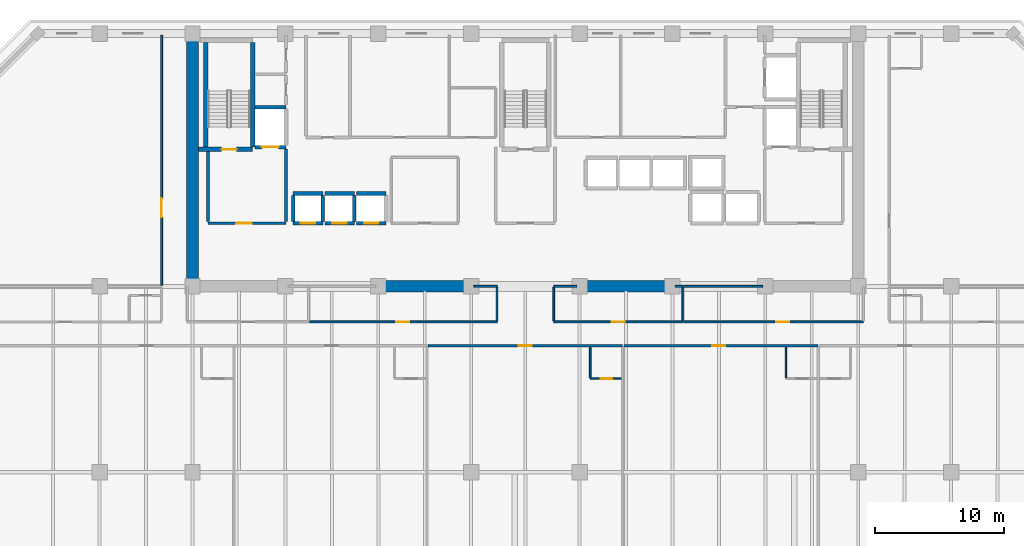
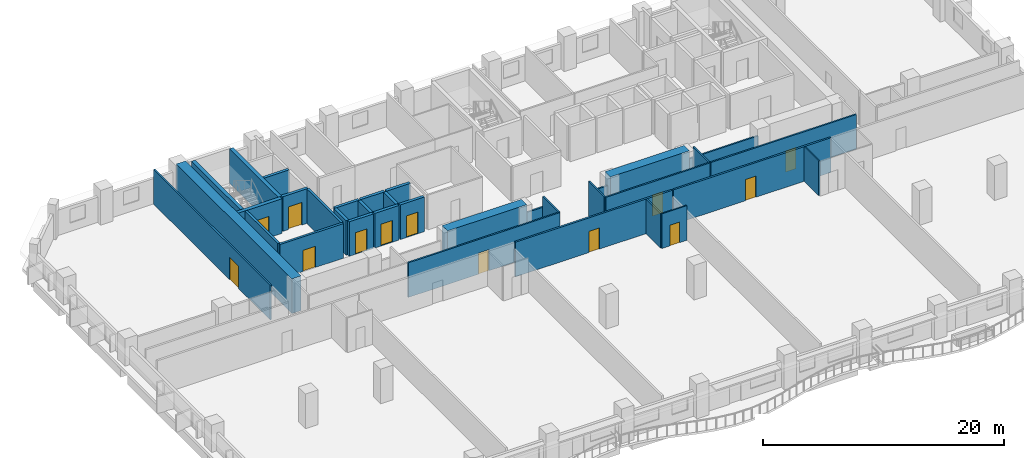
# One storey, part 6 of 14: 36 walls, 13 doors, 13 openings.
"""IFC4 building model written with IfcOpenShell, lengths in metres."""

from ifc_helpers import new_model, si_unit, direction, frame, frame_2d, origin, place, context, subcontext, project, spatial, rectangle, extrude, material, layer, layer_set, type_object, element, fill, save


model = new_model("IFC4")

# Units and contexts
model_context = context("Model", 3, precision=1e-05, world=origin(), true_north=direction((0.0, 1.0)))
body_context = subcontext(model_context, "Body", "Model", "MODEL_VIEW")
ifc_project = project(units=[si_unit("LENGTHUNIT", "METRE"), si_unit("AREAUNIT", "SQUARE_METRE"), si_unit("VOLUMEUNIT", "CUBIC_METRE"), si_unit("PLANEANGLEUNIT", "RADIAN"), si_unit("MASSUNIT", "GRAM", prefix="KILO")], contexts=[model_context])

# Site, building, storey
site_placement = place(None, origin())
site = spatial("IfcSite", under=ifc_project, at=site_placement, CompositionType="ELEMENT")
building_placement = place(site_placement, origin())
building = spatial("IfcBuilding", under=site, at=building_placement, Name="Kaelvorn Grand Hotel", CompositionType="ELEMENT")
storey_placement = place(building_placement, frame((0.0, 0.0, 119.300048828125)))
storey = spatial("IfcBuildingStorey", under=building, at=storey_placement, Name="L28", CompositionType="ELEMENT", Elevation=119.300048828125)

# Walls
ifc_material_1 = material(Name="Concrete C60/75", Category="concrete")
ifc_layer_1 = layer(ifc_material_1, 0.89990234375)
ifc_layer_set_1 = layer_set([ifc_layer_1], Name="Concrete C60/75")
wall_type_1 = type_object("IfcWallType", Name="WL-CORE-900-C60", PredefinedType="SHEAR", material=ifc_layer_set_1)
wall_1_placement = place(storey_placement, frame((16.199951171875, 29.39990234375, 0.0), z_axis=(0.0, 0.0, 1.0), x_axis=(0.0, 1.0, 0.0)))
element("IfcWall", 1, at=wall_1_placement, inside=storey, type_object=wall_type_1, Name="L28 Rear-Core West Shear Wall", PredefinedType="SHEAR", context=body_context, shape_type="SweptSolid", body=[
    extrude(rectangle(XDim=19.2001953125, YDim=0.89990234375, at=frame_2d((9.60009765625, 0.0))), origin(), (0.0, 0.0, 1.0), 3.510009765625),
])
for number, where, z_axis, x_axis, name in (
    (2, (30.39990234375, 29.39990234375, 0.0), (0.0, 0.0, 1.0), (1.0, 0.0, 0.0), "L28 Rear-Core Coupled Shear Pier S2"),
    (3, (46.0, 29.39990234375, 0.0), (0.0, 0.0, 1.0), (1.0, 0.0, 0.0), "L28 Rear-Core Coupled Shear Pier S3"),
):
    element("IfcWall", number, at=place(storey_placement, frame(where, z_axis=z_axis, x_axis=x_axis)), inside=storey, type_object=wall_type_1, Name=name, PredefinedType="SHEAR", context=body_context, shape_type="SweptSolid", body=[
        extrude(rectangle(XDim=7.60009765625, YDim=0.89990234375, at=frame_2d((3.800048828125, 0.0))), origin(), (0.0, 0.0, 1.0), 3.510009765625),
    ])

# Wall, opening, door
ifc_material_2 = material(Name="Moisture-Resistant Tile & Stud Board")
ifc_layer_2 = layer(ifc_material_2, 0.125)
ifc_layer_set_2 = layer_set([ifc_layer_2], Name="Moisture-Resistant Tile & Stud Board")
wall_type_2 = type_object("IfcWallType", Name="WL-PART-125-WET", PredefinedType="PARTITIONING", material=ifc_layer_set_2)
wall_2_placement = place(storey_placement, frame((47.030029296875, 22.25, 0.0), z_axis=(0.0, 0.0, 1.0), x_axis=(1.0, 0.0, 0.0)))
wall_2 = element("IfcWall", 4, at=wall_2_placement, inside=storey, type_object=wall_type_2, Name="L28 En-suite Bathroom L28-03 S Partition", PredefinedType="PARTITIONING", context=body_context, shape_type="SweptSolid", body=[
    extrude(rectangle(XDim=2.405029296875, YDim=0.125, at=frame_2d((1.20263671875, 0.0))), origin(), (0.0, 0.0, 1.0), 3.510009765625),
])
opening_1_placement = place(wall_2_placement, frame((0.800048828125, 0.0, 0.0)))
opening_1 = element("IfcOpeningElement", 5, at=opening_1_placement, cuts=wall_2, Name="Opening DI4", PredefinedType="OPENING", context=body_context, shape_type="SweptSolid", body=[
    extrude(rectangle(XDim=0.89990234375, YDim=2.10009765625, at=frame_2d((0.449951171875, 1.050048828125))), frame((0.0, 0.072509765625, 0.0), z_axis=(0.0, -1.0, 0.0), x_axis=(1.0, 0.0, 0.0)), (0.0, 0.0, 1.0), 0.14501953125),
])
ifc_material_3 = material(Name="Timber Veneer Leaf", Category="wood")
door_type_1 = type_object("IfcDoorType", Name="DR-INT-BATH-900x2100", OperationType="NOTDEFINED", PredefinedType="DOOR", material=ifc_material_3)
door_1_placement = place(opening_1_placement, origin())
door_1 = element("IfcDoor", 6, at=door_1_placement, inside=storey, type_object=door_type_1, Name="L28 En-suite Bathroom L28-03 Door", OperationType="SINGLE_SWING_RIGHT", OverallHeight=2.10009765625, OverallWidth=0.89990234375, PredefinedType="DOOR", context=body_context, shape_type="SweptSolid", body=[
    extrude(rectangle(XDim=0.89990234375, YDim=2.10009765625, at=frame_2d((0.449951171875, 1.050048828125))), frame((0.0, 0.02490234375, 0.0), z_axis=(0.0, -1.0, 0.0), x_axis=(1.0, 0.0, 0.0)), (0.0, 0.0, 1.0), 0.050048828125),
])
fill(opening_1, door_1)

# Walls
for number, where, z_axis, x_axis, name in (
    (7, (47.030029296875, 22.3173828125, 0.0), (0.0, 0.0, 1.0), (0.0, 1.0, 0.0), "L28 En-suite Bathroom L28-03 W Partition"),
    (8, (62.190673828125, 22.3173828125, 0.0), (0.0, 0.0, 1.0), (0.0, 1.0, 0.0), "L28 En-suite Bathroom L28-04 W Partition"),
):
    element("IfcWall", number, at=place(storey_placement, frame(where, z_axis=z_axis, x_axis=x_axis)), inside=storey, type_object=wall_type_2, Name=name, PredefinedType="PARTITIONING", context=body_context, shape_type="SweptSolid", body=[
        extrude(rectangle(XDim=2.3876953125, YDim=0.125, at=frame_2d((1.19384765625, 0.0))), origin(), (0.0, 0.0, 1.0), 3.510009765625),
    ])

# Wall, opening, door
ifc_material_4 = material(Name="Acoustic Gypsum & Stud Partition")
ifc_layer_3 = layer(ifc_material_4, 0.14990234375)
ifc_layer_set_3 = layer_set([ifc_layer_3], Name="Acoustic Gypsum & Stud Partition")
wall_type_3 = type_object("IfcWallType", Name="WL-PART-150-EI60", PredefinedType="PARTITIONING", material=ifc_layer_set_3)
wall_3_placement = place(storey_placement, frame((25.280029296875, 26.64990234375, 0.0), z_axis=(0.0, 0.0, 1.0), x_axis=(1.0, 0.0, 0.0)))
wall_3 = element("IfcWall", 9, at=wall_3_placement, inside=storey, type_object=wall_type_3, Name="L28 Banquet Prep Kitchen S Partition", PredefinedType="PARTITIONING", context=body_context, shape_type="SweptSolid", body=[
    extrude(rectangle(XDim=14.52001953125, YDim=0.14990234375, at=frame_2d((7.260009765625, 0.0))), origin(), (0.0, 0.0, 1.0), 3.510009765625),
])
opening_2_placement = place(wall_3_placement, frame((6.719970703125, 0.0, 0.0)))
opening_2 = element("IfcOpeningElement", 10, at=opening_2_placement, cuts=wall_3, Name="Opening DI3", PredefinedType="OPENING", context=body_context, shape_type="SweptSolid", body=[
    extrude(rectangle(XDim=1.0, YDim=2.14990234375, at=frame_2d((0.5, 1.074951171875))), frame((0.0, 0.0849609375, 0.0), z_axis=(0.0, -1.0, 0.0), x_axis=(1.0, 0.0, 0.0)), (0.0, 0.0, 1.0), 0.169921875),
])
ifc_material_5 = material(Name="Timber Veneer Fire Leaf", Category="wood")
door_type_2 = type_object("IfcDoorType", Name="DR-INT-GUEST-1000x2150", OperationType="NOTDEFINED", PredefinedType="DOOR", material=ifc_material_5)
door_2_placement = place(opening_2_placement, origin())
door_2 = element("IfcDoor", 11, at=door_2_placement, inside=storey, type_object=door_type_2, Name="L28 Banquet Prep Kitchen Door", OperationType="SINGLE_SWING_RIGHT", OverallHeight=2.14990234375, OverallWidth=1.0, PredefinedType="DOOR", context=body_context, shape_type="SweptSolid", body=[
    extrude(rectangle(XDim=1.0, YDim=2.14990234375, at=frame_2d((0.5, 1.074951171875))), frame((0.0, 0.02490234375, 0.0), z_axis=(0.0, -1.0, 0.0), x_axis=(1.0, 0.0, 0.0)), (0.0, 0.0, 1.0), 0.050048828125),
])
fill(opening_2, door_2)

# Walls
wall_4_placement = place(storey_placement, frame((38.010009765625, 29.39990234375, 0.0), z_axis=(0.0, 0.0, 1.0), x_axis=(1.0, 0.0, 0.0)))
element("IfcWall", 12, at=wall_4_placement, inside=storey, type_object=wall_type_3, Name="L28 Banquet Prep Kitchen N Partition (2)", PredefinedType="PARTITIONING", context=body_context, shape_type="SweptSolid", body=[
    extrude(rectangle(XDim=1.7900390625, YDim=0.14990234375, at=frame_2d((0.89501953125, 0.0))), origin(), (0.0, 0.0, 1.0), 2.409912109375),
])
wall_5_placement = place(storey_placement, frame((39.800048828125, 26.72998046875, 0.0), z_axis=(0.0, 0.0, 1.0), x_axis=(0.0, 1.0, 0.0)))
element("IfcWall", 13, at=wall_5_placement, inside=storey, type_object=wall_type_3, Name="L28 Banquet Prep Kitchen E Partition", PredefinedType="PARTITIONING", context=body_context, shape_type="SweptSolid", body=[
    extrude(rectangle(XDim=2.590087890625, YDim=0.14990234375, at=frame_2d((1.294921875, 0.0))), origin(), (0.0, 0.0, 1.0), 3.510009765625),
])

# Wall, opening, door
wall_6_placement = place(storey_placement, frame((44.199951171875, 26.64990234375, 0.0), z_axis=(0.0, 0.0, 1.0), x_axis=(1.0, 0.0, 0.0)))
wall_6 = element("IfcWall", 14, at=wall_6_placement, inside=storey, type_object=wall_type_3, Name="L28 Board Meeting Room S Partition", PredefinedType="PARTITIONING", context=body_context, shape_type="SweptSolid", body=[
    extrude(rectangle(XDim=10.0, YDim=0.14990234375, at=frame_2d((5.0, 0.0))), origin(), (0.0, 0.0, 1.0), 3.510009765625),
])
opening_3_placement = place(wall_6_placement, frame((4.5, 0.0, 0.0)))
opening_3 = element("IfcOpeningElement", 15, at=opening_3_placement, cuts=wall_6, Name="Opening DI3", PredefinedType="OPENING", context=body_context, shape_type="SweptSolid", body=[
    extrude(rectangle(XDim=1.0, YDim=2.14990234375, at=frame_2d((0.5, 1.074951171875))), frame((0.0, 0.0849609375, 0.0), z_axis=(0.0, -1.0, 0.0), x_axis=(1.0, 0.0, 0.0)), (0.0, 0.0, 1.0), 0.169921875),
])
door_3_placement = place(opening_3_placement, origin())
door_3 = element("IfcDoor", 16, at=door_3_placement, inside=storey, type_object=door_type_2, Name="L28 Board Meeting Room Door", OperationType="SINGLE_SWING_LEFT", OverallHeight=2.14990234375, OverallWidth=1.0, PredefinedType="DOOR", context=body_context, shape_type="SweptSolid", body=[
    extrude(rectangle(XDim=1.0, YDim=2.14990234375, at=frame_2d((0.5, 1.074951171875))), frame((0.0, 0.02490234375, 0.0), z_axis=(0.0, -1.0, 0.0), x_axis=(1.0, 0.0, 0.0)), (0.0, 0.0, 1.0), 0.050048828125),
])
fill(opening_3, door_3)

# Walls
wall_7_placement = place(storey_placement, frame((44.199951171875, 29.39990234375, 0.0), z_axis=(0.0, 0.0, 1.0), x_axis=(1.0, 0.0, 0.0)))
element("IfcWall", 17, at=wall_7_placement, inside=storey, type_object=wall_type_3, Name="L28 Board Meeting Room N Partition (1)", PredefinedType="PARTITIONING", context=body_context, shape_type="SweptSolid", body=[
    extrude(rectangle(XDim=1.7900390625, YDim=0.14990234375, at=frame_2d((0.89501953125, 0.0))), origin(), (0.0, 0.0, 1.0), 2.409912109375),
])
wall_8_placement = place(storey_placement, frame((53.610107421875, 29.39990234375, 0.0), z_axis=(0.0, 0.0, 1.0), x_axis=(1.0, 0.0, 0.0)))
element("IfcWall", 18, at=wall_8_placement, inside=storey, type_object=wall_type_3, Name="L28 Board Meeting Room N Partition (2)", PredefinedType="PARTITIONING", context=body_context, shape_type="SweptSolid", body=[
    extrude(rectangle(XDim=0.58984375, YDim=0.14990234375, at=frame_2d((0.294921875, 0.0))), origin(), (0.0, 0.0, 1.0), 2.409912109375),
])
for number, where, z_axis, x_axis, name in (
    (19, (44.199951171875, 26.72998046875, 0.0), (0.0, 0.0, 1.0), (0.0, 1.0, 0.0), "L28 Board Meeting Room W Partition"),
    (20, (54.199951171875, 26.72998046875, 0.0), (0.0, 0.0, 1.0), (0.0, 1.0, 0.0), "L28 Board Meeting Room E Partition"),
):
    element("IfcWall", number, at=place(storey_placement, frame(where, z_axis=z_axis, x_axis=x_axis)), inside=storey, type_object=wall_type_3, Name=name, PredefinedType="PARTITIONING", context=body_context, shape_type="SweptSolid", body=[
        extrude(rectangle(XDim=2.590087890625, YDim=0.14990234375, at=frame_2d((1.294921875, 0.0))), origin(), (0.0, 0.0, 1.0), 3.510009765625),
    ])

# Wall, opening, door
wall_9_placement = place(storey_placement, frame((54.280029296875, 26.64990234375, 0.0), z_axis=(0.0, 0.0, 1.0), x_axis=(1.0, 0.0, 0.0)))
wall_9 = element("IfcWall", 21, at=wall_9_placement, inside=storey, type_object=wall_type_3, Name="L28 Diplomatic Chancery Office S Partition", PredefinedType="PARTITIONING", context=body_context, shape_type="SweptSolid", body=[
    extrude(rectangle(XDim=13.919921875, YDim=0.14990234375, at=frame_2d((6.9599609375, 0.0))), origin(), (0.0, 0.0, 1.0), 3.510009765625),
])
opening_4_placement = place(wall_9_placement, frame((7.169921875, 0.0, 0.0)))
opening_4 = element("IfcOpeningElement", 22, at=opening_4_placement, cuts=wall_9, Name="Opening DI3", PredefinedType="OPENING", context=body_context, shape_type="SweptSolid", body=[
    extrude(rectangle(XDim=1.0, YDim=2.14990234375, at=frame_2d((0.5, 1.074951171875))), frame((0.0, 0.0849609375, 0.0), z_axis=(0.0, -1.0, 0.0), x_axis=(1.0, 0.0, 0.0)), (0.0, 0.0, 1.0), 0.169921875),
])
door_4_placement = place(opening_4_placement, origin())
door_4 = element("IfcDoor", 23, at=door_4_placement, inside=storey, type_object=door_type_2, Name="L28 Diplomatic Chancery Office Door", OperationType="SINGLE_SWING_RIGHT", OverallHeight=2.14990234375, OverallWidth=1.0, PredefinedType="DOOR", context=body_context, shape_type="SweptSolid", body=[
    extrude(rectangle(XDim=1.0, YDim=2.14990234375, at=frame_2d((0.5, 1.074951171875))), frame((0.0, 0.02490234375, 0.0), z_axis=(0.0, -1.0, 0.0), x_axis=(1.0, 0.0, 0.0)), (0.0, 0.0, 1.0), 0.050048828125),
])
fill(opening_4, door_4)

# Wall
wall_10_placement = place(storey_placement, frame((54.280029296875, 29.39990234375, 0.0), z_axis=(0.0, 0.0, 1.0), x_axis=(1.0, 0.0, 0.0)))
element("IfcWall", 24, at=wall_10_placement, inside=storey, type_object=wall_type_3, Name="L28 Diplomatic Chancery Office N Partition", PredefinedType="PARTITIONING", context=body_context, shape_type="SweptSolid", body=[
    extrude(rectangle(XDim=6.10986328125, YDim=0.14990234375, at=frame_2d((3.054931640625, 0.0))), origin(), (0.0, 0.0, 1.0), 2.409912109375),
])

# Wall, opening, door
wall_11_placement = place(storey_placement, frame((13.800048828125, 29.4951171875, 0.0), z_axis=(0.0, 0.0, 1.0), x_axis=(0.0, 1.0, 0.0)))
wall_11 = element("IfcWall", 25, at=wall_11_placement, inside=storey, type_object=wall_type_3, Name="L28 North-West Board Meeting Room E Partition", PredefinedType="PARTITIONING", context=body_context, shape_type="SweptSolid", body=[
    extrude(rectangle(XDim=19.35498046875, YDim=0.14990234375, at=frame_2d((9.677490234375, 0.0))), origin(), (0.0, 0.0, 1.0), 3.510009765625),
])
opening_5_placement = place(wall_11_placement, frame((5.2548828125, 0.0, 0.0)))
opening_5 = element("IfcOpeningElement", 26, at=opening_5_placement, cuts=wall_11, Name="Opening DI5", PredefinedType="OPENING", context=body_context, shape_type="SweptSolid", body=[
    extrude(rectangle(XDim=1.5, YDim=2.25, at=frame_2d((0.75, 1.125))), frame((0.0, 0.0849609375, 0.0), z_axis=(0.0, -1.0, 0.0), x_axis=(1.0, 0.0, 0.0)), (0.0, 0.0, 1.0), 0.169921875),
])
door_type_3 = type_object("IfcDoorType", Name="DR-INT-SALON-1500x2250", OperationType="DOUBLE_DOOR_SINGLE_SWING", PredefinedType="DOOR", material=ifc_material_5)
door_5_placement = place(opening_5_placement, origin())
door_5 = element("IfcDoor", 27, at=door_5_placement, inside=storey, type_object=door_type_3, Name="L28 North-West Board Meeting Room Door", OperationType="DOUBLE_DOOR_SINGLE_SWING", OverallHeight=2.25, OverallWidth=1.5, PredefinedType="DOOR", context=body_context, shape_type="SweptSolid", body=[
    extrude(rectangle(XDim=1.5, YDim=2.25, at=frame_2d((0.75, 1.125))), frame((0.0, 0.02490234375, 0.0), z_axis=(0.0, -1.0, 0.0), x_axis=(1.0, 0.0, 0.0)), (0.0, 0.0, 1.0), 0.050048828125),
])
fill(opening_5, door_5)

ifc_layer_4 = layer(ifc_material_4, 0.179931640625)
ifc_layer_set_4 = layer_set([ifc_layer_4], Name="Acoustic Gypsum & Stud Partition")
wall_type_4 = type_object("IfcWallType", Name="WL-PART-180-EI60", PredefinedType="PARTITIONING", material=ifc_layer_set_4)
wall_12_placement = place(storey_placement, frame((34.464599609375, 24.800048828125, 0.0), z_axis=(0.0, 0.0, 1.0), x_axis=(1.0, 0.0, 0.0)))
wall_12 = element("IfcWall", 28, at=wall_12_placement, inside=storey, type_object=wall_type_4, Name="L28 Presidential Sky Suite L28-03 N Partition", PredefinedType="PARTITIONING", context=body_context, shape_type="SweptSolid", body=[
    extrude(rectangle(XDim=15.0654296875, YDim=0.179931640625, at=frame_2d((7.53271484375, 0.0))), origin(), (0.0, 0.0, 1.0), 3.510009765625),
])
opening_6_placement = place(wall_12_placement, frame((7.035400390625, 0.0, 0.0)))
opening_6 = element("IfcOpeningElement", 29, at=opening_6_placement, cuts=wall_12, Name="Opening DI3", PredefinedType="OPENING", context=body_context, shape_type="SweptSolid", body=[
    extrude(rectangle(XDim=1.0, YDim=2.14990234375, at=frame_2d((0.5, 1.074951171875))), frame((0.0, 0.10009765625, 0.0), z_axis=(0.0, -1.0, 0.0), x_axis=(1.0, 0.0, 0.0)), (0.0, 0.0, 1.0), 0.199951171875),
])
door_6_placement = place(opening_6_placement, origin())
door_6 = element("IfcDoor", 30, at=door_6_placement, inside=storey, type_object=door_type_2, Name="L28 Presidential Sky Suite L28-03 Door", OperationType="SINGLE_SWING_LEFT", OverallHeight=2.14990234375, OverallWidth=1.0, PredefinedType="DOOR", context=body_context, shape_type="SweptSolid", body=[
    extrude(rectangle(XDim=1.0, YDim=2.14990234375, at=frame_2d((0.5, 1.074951171875))), frame((0.0, 0.02490234375, 0.0), z_axis=(0.0, -1.0, 0.0), x_axis=(1.0, 0.0, 0.0)), (0.0, 0.0, 1.0), 0.050048828125),
])
fill(opening_6, door_6)

wall_13_placement = place(storey_placement, frame((49.625, 24.800048828125, 0.0), z_axis=(0.0, 0.0, 1.0), x_axis=(1.0, 0.0, 0.0)))
wall_13 = element("IfcWall", 31, at=wall_13_placement, inside=storey, type_object=wall_type_4, Name="L28 Presidential Sky Suite L28-04 N Partition", PredefinedType="PARTITIONING", context=body_context, shape_type="SweptSolid", body=[
    extrude(rectangle(XDim=15.065673828125, YDim=0.179931640625, at=frame_2d((7.53271484375, 0.0))), origin(), (0.0, 0.0, 1.0), 3.510009765625),
])
opening_7_placement = place(wall_13_placement, frame((6.875, 0.0, 0.0)))
opening_7 = element("IfcOpeningElement", 32, at=opening_7_placement, cuts=wall_13, Name="Opening DI3", PredefinedType="OPENING", context=body_context, shape_type="SweptSolid", body=[
    extrude(rectangle(XDim=1.0, YDim=2.14990234375, at=frame_2d((0.5, 1.074951171875))), frame((0.0, 0.10009765625, 0.0), z_axis=(0.0, -1.0, 0.0), x_axis=(1.0, 0.0, 0.0)), (0.0, 0.0, 1.0), 0.199951171875),
])
door_7_placement = place(opening_7_placement, origin())
door_7 = element("IfcDoor", 33, at=door_7_placement, inside=storey, type_object=door_type_2, Name="L28 Presidential Sky Suite L28-04 Door", OperationType="SINGLE_SWING_LEFT", OverallHeight=2.14990234375, OverallWidth=1.0, PredefinedType="DOOR", context=body_context, shape_type="SweptSolid", body=[
    extrude(rectangle(XDim=1.0, YDim=2.14990234375, at=frame_2d((0.5, 1.074951171875))), frame((0.0, 0.02490234375, 0.0), z_axis=(0.0, -1.0, 0.0), x_axis=(1.0, 0.0, 0.0)), (0.0, 0.0, 1.0), 0.050048828125),
])
fill(opening_7, door_7)

ifc_material_6 = material(Name="Concrete C40/50", Category="concrete")
ifc_layer_5 = layer(ifc_material_6, 0.219970703125)
ifc_layer_set_5 = layer_set([ifc_layer_5], Name="Concrete C40/50")
wall_type_5 = type_object("IfcWallType", Name="WL-PART-220-EI120", PredefinedType="PARTITIONING", material=ifc_layer_set_5)
wall_14_placement = place(storey_placement, frame((17.39990234375, 34.300048828125, 0.0), z_axis=(0.0, 0.0, 1.0), x_axis=(1.0, 0.0, 0.0)))
wall_14 = element("IfcWall", 34, at=wall_14_placement, inside=storey, type_object=wall_type_5, Name="L28 Firefighting Lift Lobby 1 S Partition", PredefinedType="PARTITIONING", context=body_context, shape_type="SweptSolid", body=[
    extrude(rectangle(XDim=6.050048828125, YDim=0.219970703125, at=frame_2d((3.02490234375, 0.0))), origin(), (0.0, 0.0, 1.0), 3.510009765625),
])
opening_8_placement = place(wall_14_placement, frame((2.199951171875, 0.0, 0.0)))
opening_8 = element("IfcOpeningElement", 35, at=opening_8_placement, cuts=wall_14, Name="Opening DI2", PredefinedType="OPENING", context=body_context, shape_type="SweptSolid", body=[
    extrude(rectangle(XDim=1.199951171875, YDim=2.14990234375, at=frame_2d((0.60009765625, 1.074951171875))), frame((0.0, 0.1201171875, 0.0), z_axis=(0.0, -1.0, 0.0), x_axis=(1.0, 0.0, 0.0)), (0.0, 0.0, 1.0), 0.239990234375),
])
door_type_4 = type_object("IfcDoorType", Name="DR-INT-FFLOB-1200x2150", OperationType="NOTDEFINED", PredefinedType="DOOR", material=ifc_material_5)
door_8_placement = place(opening_8_placement, origin())
door_8 = element("IfcDoor", 36, at=door_8_placement, inside=storey, type_object=door_type_4, Name="L28 Firefighting Lift Lobby 1 Door", OperationType="SINGLE_SWING_LEFT", OverallHeight=2.14990234375, OverallWidth=1.199951171875, PredefinedType="DOOR", context=body_context, shape_type="SweptSolid", body=[
    extrude(rectangle(XDim=1.199951171875, YDim=2.14990234375, at=frame_2d((0.60009765625, 1.074951171875))), frame((0.0, 0.02490234375, 0.0), z_axis=(0.0, -1.0, 0.0), x_axis=(1.0, 0.0, 0.0)), (0.0, 0.0, 1.0), 0.050048828125),
])
fill(opening_8, door_8)

# Walls
wall_15_placement = place(storey_placement, frame((17.39990234375, 34.4150390625, 0.0), z_axis=(0.0, 0.0, 1.0), x_axis=(0.0, 1.0, 0.0)))
element("IfcWall", 37, at=wall_15_placement, inside=storey, type_object=wall_type_5, Name="L28 Firefighting Lift Lobby 1 W Partition", PredefinedType="PARTITIONING", context=body_context, shape_type="SweptSolid", body=[
    extrude(rectangle(XDim=5.429931640625, YDim=0.219970703125, at=frame_2d((2.71484375, 0.0))), origin(), (0.0, 0.0, 1.0), 3.510009765625),
])
wall_16_placement = place(storey_placement, frame((23.449951171875, 34.4150390625, 0.0), z_axis=(0.0, 0.0, 1.0), x_axis=(0.0, 1.0, 0.0)))
element("IfcWall", 38, at=wall_16_placement, inside=storey, type_object=wall_type_5, Name="L28 Firefighting Lift Lobby 1 E Partition", PredefinedType="PARTITIONING", context=body_context, shape_type="SweptSolid", body=[
    extrude(rectangle(XDim=5.639892578125, YDim=0.219970703125, at=frame_2d((2.81982421875, 0.0))), origin(), (0.0, 0.0, 1.0), 3.510009765625),
])

# Wall, opening, door
ifc_material_7 = material(Name="Concrete C50/60", Category="concrete")
ifc_layer_6 = layer(ifc_material_7, 0.280029296875)
ifc_layer_set_6 = layer_set([ifc_layer_6], Name="Concrete C50/60")
wall_type_6 = type_object("IfcWallType", Name="WL-SHAFT-280-C50", PredefinedType="SHEAR", material=ifc_layer_set_6)
wall_17_placement = place(storey_placement, frame((24.0, 34.300048828125, 0.0), z_axis=(0.0, 0.0, 1.0), x_axis=(1.0, 0.0, 0.0)))
wall_17 = element("IfcWall", 39, at=wall_17_placement, inside=storey, type_object=wall_type_6, Name="L28 Lift PL-L1 Shaft South Wall", PredefinedType="SHEAR", context=body_context, shape_type="SweptSolid", body=[
    extrude(rectangle(XDim=2.300048828125, YDim=0.280029296875, at=frame_2d((1.14990234375, 0.0))), origin(), (0.0, 0.0, 1.0), 3.510009765625),
])
opening_9_placement = place(wall_17_placement, frame((0.60009765625, 0.0, 0.0)))
opening_9 = element("IfcOpeningElement", 40, at=opening_9_placement, cuts=wall_17, Name="Opening LD-PL-L1", PredefinedType="OPENING", context=body_context, shape_type="SweptSolid", body=[
    extrude(rectangle(XDim=1.10009765625, YDim=2.199951171875, at=frame_2d((0.550048828125, 1.10009765625))), frame((0.0, 0.14990234375, 0.0), z_axis=(0.0, -1.0, 0.0), x_axis=(1.0, 0.0, 0.0)), (0.0, 0.0, 1.0), 0.300048828125),
])
ifc_material_8 = material(Name="Stainless Steel", Category="steel")
door_type_5 = type_object("IfcDoorType", Name="DR-LIFT-PASS-1100x2200", OperationType="DOUBLE_DOOR_SLIDING", PredefinedType="DOOR", material=ifc_material_8)
door_9_placement = place(opening_9_placement, origin())
door_9 = element("IfcDoor", 41, at=door_9_placement, inside=storey, type_object=door_type_5, Name="L28 Lift PL-L1 Sliding Landing Door LD-PL-L1", OperationType="DOUBLE_DOOR_SLIDING", OverallHeight=2.199951171875, OverallWidth=1.10009765625, PredefinedType="DOOR", context=body_context, shape_type="SweptSolid", body=[
    extrude(rectangle(XDim=1.10009765625, YDim=2.199951171875, at=frame_2d((0.550048828125, 1.10009765625))), frame((0.0, 0.02490234375, 0.0), z_axis=(0.0, -1.0, 0.0), x_axis=(1.0, 0.0, 0.0)), (0.0, 0.0, 1.0), 0.050048828125),
])
fill(opening_9, door_9)

# Walls
wall_18_placement = place(storey_placement, frame((24.0, 36.60009765625, 0.0), z_axis=(0.0, 0.0, 1.0), x_axis=(1.0, 0.0, 0.0)))
element("IfcWall", 42, at=wall_18_placement, inside=storey, type_object=wall_type_6, Name="L28 Lift PL-L1 Shaft North Wall", PredefinedType="SHEAR", context=body_context, shape_type="SweptSolid", body=[
    extrude(rectangle(XDim=2.300048828125, YDim=0.280029296875, at=frame_2d((1.14990234375, 0.0))), origin(), (0.0, 0.0, 1.0), 3.510009765625),
])
for number, where, z_axis, x_axis, name in (
    (43, (24.0, 34.445068359375, 0.0), (0.0, 0.0, 1.0), (0.0, 1.0, 0.0), "L28 Lift PL-L1 Shaft West Wall"),
    (44, (26.300048828125, 34.445068359375, 0.0), (0.0, 0.0, 1.0), (0.0, 1.0, 0.0), "L28 Lift PL-L1 Shaft East Wall"),
):
    element("IfcWall", number, at=place(storey_placement, frame(where, z_axis=z_axis, x_axis=x_axis)), inside=storey, type_object=wall_type_6, Name=name, PredefinedType="SHEAR", context=body_context, shape_type="SweptSolid", body=[
        extrude(rectangle(XDim=2.010009765625, YDim=0.280029296875, at=frame_2d((1.0048828125, 0.0))), origin(), (0.0, 0.0, 1.0), 3.510009765625),
    ])

# Wall, opening, door
wall_19_placement = place(storey_placement, frame((26.449951171875, 34.300048828125, 0.0), z_axis=(0.0, 0.0, 1.0), x_axis=(1.0, 0.0, 0.0)))
wall_19 = element("IfcWall", 45, at=wall_19_placement, inside=storey, type_object=wall_type_6, Name="L28 Lift PL-L2 Shaft South Wall", PredefinedType="SHEAR", context=body_context, shape_type="SweptSolid", body=[
    extrude(rectangle(XDim=2.300048828125, YDim=0.280029296875, at=frame_2d((1.14990234375, 0.0))), origin(), (0.0, 0.0, 1.0), 3.510009765625),
])
opening_10_placement = place(wall_19_placement, frame((0.60009765625, 0.0, 0.0)))
opening_10 = element("IfcOpeningElement", 46, at=opening_10_placement, cuts=wall_19, Name="Opening LD-PL-L2", PredefinedType="OPENING", context=body_context, shape_type="SweptSolid", body=[
    extrude(rectangle(XDim=1.10009765625, YDim=2.199951171875, at=frame_2d((0.550048828125, 1.10009765625))), frame((0.0, 0.14990234375, 0.0), z_axis=(0.0, -1.0, 0.0), x_axis=(1.0, 0.0, 0.0)), (0.0, 0.0, 1.0), 0.300048828125),
])
door_10_placement = place(opening_10_placement, origin())
door_10 = element("IfcDoor", 47, at=door_10_placement, inside=storey, type_object=door_type_5, Name="L28 Lift PL-L2 Sliding Landing Door LD-PL-L2", OperationType="DOUBLE_DOOR_SLIDING", OverallHeight=2.199951171875, OverallWidth=1.10009765625, PredefinedType="DOOR", context=body_context, shape_type="SweptSolid", body=[
    extrude(rectangle(XDim=1.10009765625, YDim=2.199951171875, at=frame_2d((0.550048828125, 1.10009765625))), frame((0.0, 0.02490234375, 0.0), z_axis=(0.0, -1.0, 0.0), x_axis=(1.0, 0.0, 0.0)), (0.0, 0.0, 1.0), 0.050048828125),
])
fill(opening_10, door_10)

# Walls
wall_20_placement = place(storey_placement, frame((26.449951171875, 36.60009765625, 0.0), z_axis=(0.0, 0.0, 1.0), x_axis=(1.0, 0.0, 0.0)))
element("IfcWall", 48, at=wall_20_placement, inside=storey, type_object=wall_type_6, Name="L28 Lift PL-L2 Shaft North Wall", PredefinedType="SHEAR", context=body_context, shape_type="SweptSolid", body=[
    extrude(rectangle(XDim=2.300048828125, YDim=0.280029296875, at=frame_2d((1.14990234375, 0.0))), origin(), (0.0, 0.0, 1.0), 3.510009765625),
])
wall_21_placement = place(storey_placement, frame((28.75, 34.445068359375, 0.0), z_axis=(0.0, 0.0, 1.0), x_axis=(0.0, 1.0, 0.0)))
element("IfcWall", 49, at=wall_21_placement, inside=storey, type_object=wall_type_6, Name="L28 Lift PL-L2 Shaft East Wall", PredefinedType="SHEAR", context=body_context, shape_type="SweptSolid", body=[
    extrude(rectangle(XDim=2.010009765625, YDim=0.280029296875, at=frame_2d((1.0048828125, 0.0))), origin(), (0.0, 0.0, 1.0), 3.510009765625),
])

# Wall, opening, door
wall_22_placement = place(storey_placement, frame((28.89990234375, 34.300048828125, 0.0), z_axis=(0.0, 0.0, 1.0), x_axis=(1.0, 0.0, 0.0)))
wall_22 = element("IfcWall", 50, at=wall_22_placement, inside=storey, type_object=wall_type_6, Name="L28 Lift PL-L3 Shaft South Wall", PredefinedType="SHEAR", context=body_context, shape_type="SweptSolid", body=[
    extrude(rectangle(XDim=2.300048828125, YDim=0.280029296875, at=frame_2d((1.14990234375, 0.0))), origin(), (0.0, 0.0, 1.0), 3.510009765625),
])
opening_11_placement = place(wall_22_placement, frame((0.60009765625, 0.0, 0.0)))
opening_11 = element("IfcOpeningElement", 51, at=opening_11_placement, cuts=wall_22, Name="Opening LD-PL-L3", PredefinedType="OPENING", context=body_context, shape_type="SweptSolid", body=[
    extrude(rectangle(XDim=1.10009765625, YDim=2.199951171875, at=frame_2d((0.550048828125, 1.10009765625))), frame((0.0, 0.14990234375, 0.0), z_axis=(0.0, -1.0, 0.0), x_axis=(1.0, 0.0, 0.0)), (0.0, 0.0, 1.0), 0.300048828125),
])
door_11_placement = place(opening_11_placement, origin())
door_11 = element("IfcDoor", 52, at=door_11_placement, inside=storey, type_object=door_type_5, Name="L28 Lift PL-L3 Sliding Landing Door LD-PL-L3", OperationType="DOUBLE_DOOR_SLIDING", OverallHeight=2.199951171875, OverallWidth=1.10009765625, PredefinedType="DOOR", context=body_context, shape_type="SweptSolid", body=[
    extrude(rectangle(XDim=1.10009765625, YDim=2.199951171875, at=frame_2d((0.550048828125, 1.10009765625))), frame((0.0, 0.02490234375, 0.0), z_axis=(0.0, -1.0, 0.0), x_axis=(1.0, 0.0, 0.0)), (0.0, 0.0, 1.0), 0.050048828125),
])
fill(opening_11, door_11)

# Wall
wall_23_placement = place(storey_placement, frame((28.89990234375, 36.60009765625, 0.0), z_axis=(0.0, 0.0, 1.0), x_axis=(1.0, 0.0, 0.0)))
element("IfcWall", 53, at=wall_23_placement, inside=storey, type_object=wall_type_6, Name="L28 Lift PL-L3 Shaft North Wall", PredefinedType="SHEAR", context=body_context, shape_type="SweptSolid", body=[
    extrude(rectangle(XDim=2.300048828125, YDim=0.280029296875, at=frame_2d((1.14990234375, 0.0))), origin(), (0.0, 0.0, 1.0), 3.510009765625),
])

# Wall, opening, door
wall_24_placement = place(storey_placement, frame((21.034912109375, 40.199951171875, 0.0), z_axis=(0.0, 0.0, 1.0), x_axis=(1.0, 0.0, 0.0)))
wall_24 = element("IfcWall", 54, at=wall_24_placement, inside=storey, type_object=wall_type_6, Name="L28 Lift FFL1 Shaft South Wall", PredefinedType="SHEAR", context=body_context, shape_type="SweptSolid", body=[
    extrude(rectangle(XDim=2.4150390625, YDim=0.280029296875, at=frame_2d((1.20751953125, 0.0))), origin(), (0.0, 0.0, 1.0), 3.510009765625),
])
opening_12_placement = place(wall_24_placement, frame((0.5400390625, 0.0, 0.0)))
opening_12 = element("IfcOpeningElement", 55, at=opening_12_placement, cuts=wall_24, Name="Opening LD-FFL1", PredefinedType="OPENING", context=body_context, shape_type="SweptSolid", body=[
    extrude(rectangle(XDim=1.300048828125, YDim=2.300048828125, at=frame_2d((0.64990234375, 1.14990234375))), frame((0.0, 0.14990234375, 0.0), z_axis=(0.0, -1.0, 0.0), x_axis=(1.0, 0.0, 0.0)), (0.0, 0.0, 1.0), 0.300048828125),
])
door_type_6 = type_object("IfcDoorType", Name="DR-LIFT-SERV-1300x2300", OperationType="DOUBLE_DOOR_SLIDING", PredefinedType="DOOR", material=ifc_material_8)
door_12_placement = place(opening_12_placement, origin())
door_12 = element("IfcDoor", 56, at=door_12_placement, inside=storey, type_object=door_type_6, Name="L28 Lift FFL1 Sliding Landing Door LD-FFL1", OperationType="DOUBLE_DOOR_SLIDING", OverallHeight=2.300048828125, OverallWidth=1.300048828125, PredefinedType="DOOR", context=body_context, shape_type="SweptSolid", body=[
    extrude(rectangle(XDim=1.300048828125, YDim=2.300048828125, at=frame_2d((0.64990234375, 1.14990234375))), frame((0.0, 0.02490234375, 0.0), z_axis=(0.0, -1.0, 0.0), x_axis=(1.0, 0.0, 0.0)), (0.0, 0.0, 1.0), 0.050048828125),
])
fill(opening_12, door_12)

# Wall
wall_25_placement = place(storey_placement, frame((21.034912109375, 43.300048828125, 0.0), z_axis=(0.0, 0.0, 1.0), x_axis=(1.0, 0.0, 0.0)))
element("IfcWall", 57, at=wall_25_placement, inside=storey, type_object=wall_type_6, Name="L28 Lift FFL1 Shaft North Wall", PredefinedType="SHEAR", context=body_context, shape_type="SweptSolid", body=[
    extrude(rectangle(XDim=2.4150390625, YDim=0.280029296875, at=frame_2d((1.20751953125, 0.0))), origin(), (0.0, 0.0, 1.0), 3.510009765625),
])

# Wall, opening, door
ifc_layer_7 = layer(ifc_material_1, 0.35009765625)
ifc_layer_set_7 = layer_set([ifc_layer_7], Name="Concrete C60/75")
wall_type_7 = type_object("IfcWallType", Name="WL-SHAFT-350-C60", PredefinedType="SHEAR", material=ifc_layer_set_7)
wall_26_placement = place(storey_placement, frame((16.655029296875, 40.02490234375, 0.0), z_axis=(0.0, 0.0, 1.0), x_axis=(1.0, 0.0, 0.0)))
wall_26 = element("IfcWall", 58, at=wall_26_placement, inside=storey, type_object=wall_type_7, Name="L28 ST1 Stair Shaft South Wall", PredefinedType="SHEAR", context=body_context, shape_type="SweptSolid", body=[
    extrude(rectangle(XDim=4.199951171875, YDim=0.35009765625, at=frame_2d((2.10009765625, 0.0))), origin(), (0.0, 0.0, 1.0), 3.510009765625),
])
opening_13_placement = place(wall_26_placement, frame((1.81005859375, 0.0, 0.0)))
opening_13 = element("IfcOpeningElement", 59, at=opening_13_placement, cuts=wall_26, Name="Opening DI1", PredefinedType="OPENING", context=body_context, shape_type="SweptSolid", body=[
    extrude(rectangle(XDim=1.14990234375, YDim=2.14990234375, at=frame_2d((0.574951171875, 1.074951171875))), frame((0.0, 0.18505859375, 0.0), z_axis=(0.0, -1.0, 0.0), x_axis=(1.0, 0.0, 0.0)), (0.0, 0.0, 1.0), 0.3701171875),
])
door_type_7 = type_object("IfcDoorType", Name="DR-INT-STAIR-1150x2150", OperationType="NOTDEFINED", PredefinedType="DOOR", material=ifc_material_5)
door_13_placement = place(opening_13_placement, origin())
door_13 = element("IfcDoor", 60, at=door_13_placement, inside=storey, type_object=door_type_7, Name="L28 ST1 Exit Stair Fire Door", OperationType="SINGLE_SWING_RIGHT", OverallHeight=2.14990234375, OverallWidth=1.14990234375, PredefinedType="DOOR", context=body_context, shape_type="SweptSolid", body=[
    extrude(rectangle(XDim=1.14990234375, YDim=2.14990234375, at=frame_2d((0.574951171875, 1.074951171875))), frame((0.0, 0.02490234375, 0.0), z_axis=(0.0, -1.0, 0.0), x_axis=(1.0, 0.0, 0.0)), (0.0, 0.0, 1.0), 0.050048828125),
])
fill(opening_13, door_13)

# Walls
for number, where, z_axis, x_axis, name in (
    (61, (17.22509765625, 40.205078125, 0.0), (0.0, 0.0, 1.0), (0.0, 1.0, 0.0), "L28 ST1 Stair Shaft West Wall"),
    (62, (20.85498046875, 40.205078125, 0.0), (0.0, 0.0, 1.0), (0.0, 1.0, 0.0), "L28 ST1 Stair Shaft East Wall"),
):
    element("IfcWall", number, at=place(storey_placement, frame(where, z_axis=z_axis, x_axis=x_axis)), inside=storey, type_object=wall_type_7, Name=name, PredefinedType="SHEAR", context=body_context, shape_type="SweptSolid", body=[
        extrude(rectangle(XDim=8.08984375, YDim=0.35009765625, at=frame_2d((4.044921875, 0.0))), origin(), (0.0, 0.0, 1.0), 3.510009765625),
    ])

save(model, "model.ifc")
